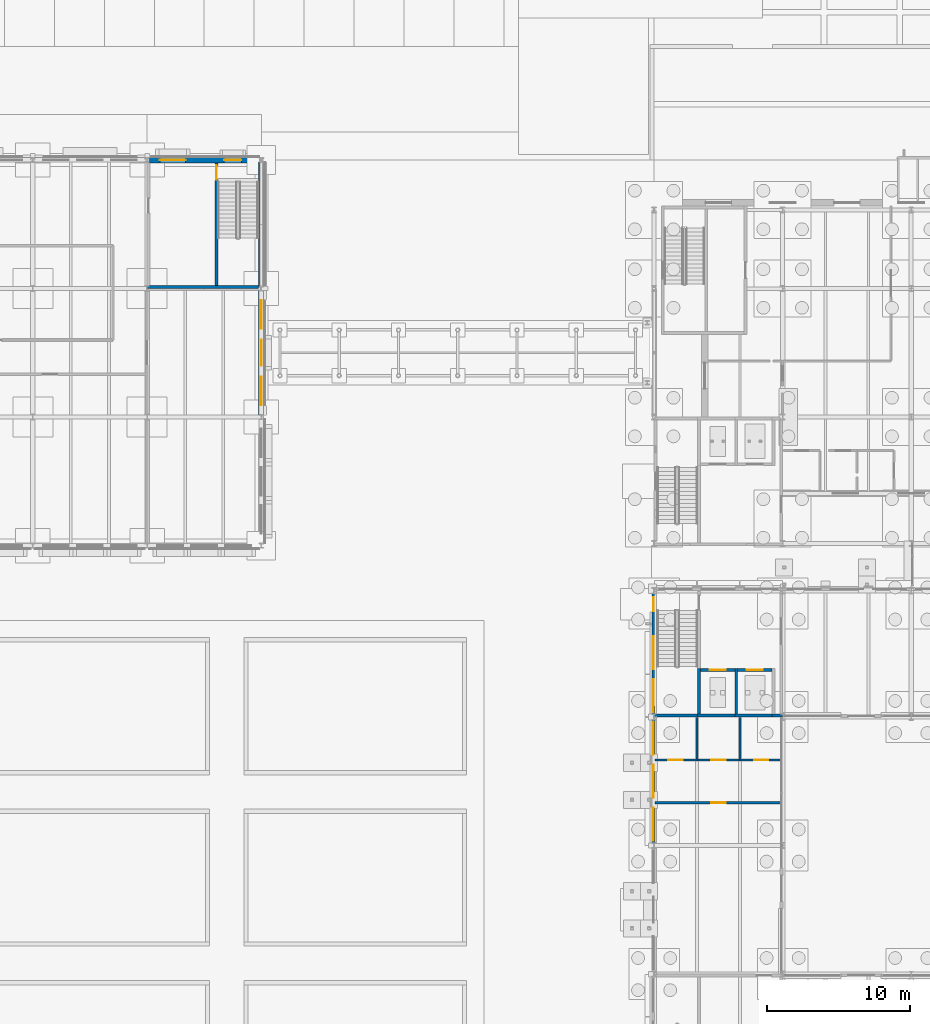
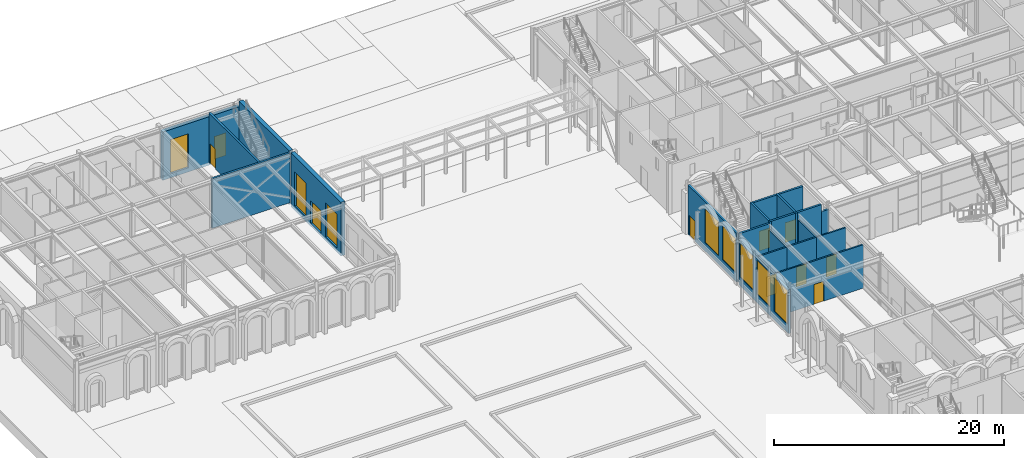
# One storey, part 76 of 126: 21 walls, 10 doors, 8 windows, 18 openings.
"""IFC4 building model written with IfcOpenShell, lengths in metres."""

from ifc_helpers import new_model, si_unit, direction, frame, frame_2d, origin, place, context, subcontext, project, spatial, rectangle, extrude, material, layer, layer_set, type_object, element, fill, save


model = new_model("IFC4")

# Units and contexts
model_context = context("Model", 3, precision=1e-05, world=origin(), true_north=direction((0.0, 1.0)))
body_context = subcontext(model_context, "Body", "Model", "MODEL_VIEW")
ifc_project = project(units=[si_unit("LENGTHUNIT", "METRE"), si_unit("AREAUNIT", "SQUARE_METRE"), si_unit("VOLUMEUNIT", "CUBIC_METRE"), si_unit("PLANEANGLEUNIT", "RADIAN"), si_unit("MASSUNIT", "GRAM", prefix="KILO")], contexts=[model_context])

# Site, building, storey
site_placement = place(None, origin())
site = spatial("IfcSite", under=ifc_project, at=site_placement, CompositionType="ELEMENT")
building_placement = place(site_placement, origin())
building = spatial("IfcBuilding", under=site, at=building_placement, Name="Kallimachos Central Library", CompositionType="ELEMENT")
storey_placement = place(building_placement, origin())
storey = spatial("IfcBuildingStorey", under=building, at=storey_placement, Name="L00", CompositionType="ELEMENT", Elevation=0.0)

# Wall, opening, door
ifc_material_1 = material(Name="Concrete C30/37", Category="concrete")
ifc_layer_1 = layer(ifc_material_1, 0.199951171875)
ifc_layer_set_1 = layer_set([ifc_layer_1], Name="Core wall 200")
wall_type_1 = type_object("IfcWallType", Name="Core wall 200", PredefinedType="SOLIDWALL", material=ifc_layer_set_1)
wall_1_placement = place(storey_placement, frame((34.85009765625, 105.199951171875, 0.0), z_axis=(0.0, 0.0, 1.0), x_axis=(0.0, 1.0, 0.0)))
wall_1 = element("IfcWall", 1, at=wall_1_placement, inside=storey, type_object=wall_type_1, Name="Core wall ne-stair-lobby L00", PredefinedType="SOLIDWALL", context=body_context, shape_type="SweptSolid", body=[
    extrude(rectangle(XDim=8.60009765625, YDim=0.199951171875, at=frame_2d((4.300048828125, 0.0))), origin(), (0.0, 0.0, 1.0), 5.25),
])
opening_1_placement = place(wall_1_placement, frame((7.425048828125, 0.0, 0.0)))
opening_1 = element("IfcOpeningElement", 2, at=opening_1_placement, cuts=wall_1, Name="Opening D291", PredefinedType="OPENING", context=body_context, shape_type="SweptSolid", body=[
    extrude(rectangle(XDim=1.0, YDim=2.10009765625, at=frame_2d((0.5, 1.050048828125))), frame((0.0, 0.10986328125, 0.0), z_axis=(0.0, -1.0, 0.0), x_axis=(1.0, 0.0, 0.0)), (0.0, 0.0, 1.0), 0.219970703125),
])
ifc_material_2 = material(Name="Steel fire door", Category="steel")
door_type_1 = type_object("IfcDoorType", Name="Fire door 1000 x 2100", OperationType="NOTDEFINED", PredefinedType="DOOR", material=ifc_material_2)
door_1_placement = place(opening_1_placement, frame((1.0, 0.0, 0.0), z_axis=(0.0, 0.0, 1.0), x_axis=(-1.0, 0.0, 0.0)))
door_1 = element("IfcDoor", 3, at=door_1_placement, inside=storey, type_object=door_type_1, Name="Stair ST6 door", OperationType="SINGLE_SWING_RIGHT", OverallHeight=2.10009765625, OverallWidth=1.0, PredefinedType="DOOR", context=body_context, shape_type="SweptSolid", body=[
    extrude(rectangle(XDim=1.0, YDim=2.10009765625, at=frame_2d((0.5, 1.050048828125))), frame((0.0, 0.02490234375, 0.0), z_axis=(0.0, -1.0, 0.0), x_axis=(1.0, 0.0, 0.0)), (0.0, 0.0, 1.0), 0.050048828125),
])
fill(opening_1, door_1)

# Wall
wall_2_placement = place(storey_placement, frame((30.0, 105.10009765625, 0.0), z_axis=(0.0, 0.0, 1.0), x_axis=(1.0, 0.0, 0.0)))
element("IfcWall", 4, at=wall_2_placement, inside=storey, type_object=wall_type_1, Name="Core wall ne-south L00", PredefinedType="SOLIDWALL", context=body_context, shape_type="SweptSolid", body=[
    extrude(rectangle(XDim=7.800048828125, YDim=0.199951171875, at=frame_2d((3.89990234375, 0.0))), origin(), (0.0, 0.0, 1.0), 5.25),
])

# Wall, opening, door
ifc_material_3 = material(Name="Concrete C30/37", Category="concrete")
ifc_layer_2 = layer(ifc_material_3, 0.199951171875)
ifc_layer_set_2 = layer_set([ifc_layer_2], Name="Lift shaft wall 200")
wall_type_2 = type_object("IfcWallType", Name="Lift shaft wall 200", PredefinedType="SOLIDWALL", material=ifc_layer_set_2)
wall_3_placement = place(storey_placement, frame((68.75, 78.300048828125, -1.10009765625), z_axis=(0.0, 0.0, 1.0), x_axis=(1.0, 0.0, 0.0)))
wall_3 = element("IfcWall", 5, at=wall_3_placement, inside=storey, type_object=wall_type_2, Name="V4-WAL-L00-001", PredefinedType="SOLIDWALL", context=body_context, shape_type="SweptSolid", body=[
    extrude(rectangle(XDim=2.39990234375, YDim=0.199951171875, at=frame_2d((1.199951171875, 0.0))), origin(), (0.0, 0.0, 1.0), 6.5),
])
opening_2_placement = place(wall_3_placement, frame((0.64990234375, 0.0, 1.10009765625)))
opening_2 = element("IfcOpeningElement", 6, at=opening_2_placement, cuts=wall_3, Name="Opening LD1100", PredefinedType="OPENING", context=body_context, shape_type="SweptSolid", body=[
    extrude(rectangle(XDim=1.10009765625, YDim=2.10009765625, at=frame_2d((0.550048828125, 1.050048828125))), frame((0.0, 0.10986328125, 0.0), z_axis=(0.0, -1.0, 0.0), x_axis=(1.0, 0.0, 0.0)), (0.0, 0.0, 1.0), 0.219970703125),
])
ifc_material_4 = material(Name="Stainless steel", Category="steel")
door_type_2 = type_object("IfcDoorType", Name="Lift landing door 1100 x 2100", OperationType="SLIDING_TO_LEFT", PredefinedType="DOOR", material=ifc_material_4)
door_2_placement = place(opening_2_placement, origin())
door_2 = element("IfcDoor", 7, at=door_2_placement, inside=storey, type_object=door_type_2, Name="LF7 landing door L00", OperationType="SLIDING_TO_LEFT", OverallHeight=2.10009765625, OverallWidth=1.10009765625, PredefinedType="DOOR", context=body_context, shape_type="SweptSolid", body=[
    extrude(rectangle(XDim=1.10009765625, YDim=2.10009765625, at=frame_2d((0.550048828125, 1.050048828125))), frame((0.0, 0.02490234375, 0.0), z_axis=(0.0, -1.0, 0.0), x_axis=(1.0, 0.0, 0.0)), (0.0, 0.0, 1.0), 0.050048828125),
])
fill(opening_2, door_2)

# Walls
wall_4_placement = place(storey_placement, frame((68.550048828125, 75.10009765625, -1.10009765625), z_axis=(0.0, 0.0, 1.0), x_axis=(1.0, 0.0, 0.0)))
element("IfcWall", 8, at=wall_4_placement, inside=storey, type_object=wall_type_2, Name="V4-WAL-L00-002", PredefinedType="SOLIDWALL", context=body_context, shape_type="SweptSolid", body=[
    extrude(rectangle(XDim=2.599853515625, YDim=0.199951171875, at=frame_2d((1.2998046875, 0.0))), origin(), (0.0, 0.0, 1.0), 6.5),
])
for number, where, z_axis, x_axis, name in (
    (9, (68.64990234375, 75.0, -1.10009765625), (0.0, 0.0, 1.0), (0.0, 1.0, 0.0), "V4-WAL-L00-003"),
    (10, (71.25, 75.0, -1.10009765625), (0.0, 0.0, 1.0), (0.0, 1.0, 0.0), "V4-WAL-L00-004"),
):
    element("IfcWall", number, at=place(storey_placement, frame(where, z_axis=z_axis, x_axis=x_axis)), inside=storey, type_object=wall_type_2, Name=name, PredefinedType="SOLIDWALL", context=body_context, shape_type="SweptSolid", body=[
        extrude(rectangle(XDim=3.39990234375, YDim=0.199951171875, at=frame_2d((1.699951171875, 0.0))), origin(), (0.0, 0.0, 1.0), 6.5),
    ])

# Wall, opening, door
wall_5_placement = place(storey_placement, frame((71.14990234375, 78.300048828125, -1.10009765625), z_axis=(0.0, 0.0, 1.0), x_axis=(1.0, 0.0, 0.0)))
wall_5 = element("IfcWall", 11, at=wall_5_placement, inside=storey, type_object=wall_type_2, Name="V4-WAL-L00-005", PredefinedType="SOLIDWALL", context=body_context, shape_type="SweptSolid", body=[
    extrude(rectangle(XDim=2.60009765625, YDim=0.199951171875, at=frame_2d((1.300048828125, 0.0))), origin(), (0.0, 0.0, 1.0), 6.5),
])
opening_3_placement = place(wall_5_placement, frame((0.85009765625, 0.0, 1.10009765625)))
opening_3 = element("IfcOpeningElement", 12, at=opening_3_placement, cuts=wall_5, Name="Opening LD1100", PredefinedType="OPENING", context=body_context, shape_type="SweptSolid", body=[
    extrude(rectangle(XDim=1.10009765625, YDim=2.10009765625, at=frame_2d((0.550048828125, 1.050048828125))), frame((0.0, 0.10986328125, 0.0), z_axis=(0.0, -1.0, 0.0), x_axis=(1.0, 0.0, 0.0)), (0.0, 0.0, 1.0), 0.219970703125),
])
door_3_placement = place(opening_3_placement, origin())
door_3 = element("IfcDoor", 13, at=door_3_placement, inside=storey, type_object=door_type_2, Name="LF8 landing door L00", OperationType="SLIDING_TO_LEFT", OverallHeight=2.10009765625, OverallWidth=1.10009765625, PredefinedType="DOOR", context=body_context, shape_type="SweptSolid", body=[
    extrude(rectangle(XDim=1.10009765625, YDim=2.10009765625, at=frame_2d((0.550048828125, 1.050048828125))), frame((0.0, 0.02490234375, 0.0), z_axis=(0.0, -1.0, 0.0), x_axis=(1.0, 0.0, 0.0)), (0.0, 0.0, 1.0), 0.050048828125),
])
fill(opening_3, door_3)

# Wall
wall_6_placement = place(storey_placement, frame((71.14990234375, 75.10009765625, -1.10009765625), z_axis=(0.0, 0.0, 1.0), x_axis=(1.0, 0.0, 0.0)))
element("IfcWall", 14, at=wall_6_placement, inside=storey, type_object=wall_type_2, Name="V4-WAL-L00-006", PredefinedType="SOLIDWALL", context=body_context, shape_type="SweptSolid", body=[
    extrude(rectangle(XDim=2.60009765625, YDim=0.199951171875, at=frame_2d((1.300048828125, 0.0))), origin(), (0.0, 0.0, 1.0), 6.5),
])

# Wall, opening, door
ifc_material_5 = material(Name="Gypsum board on steel studs", Category="steel")
ifc_layer_3 = layer(ifc_material_5, 0.14990234375)
ifc_layer_set_3 = layer_set([ifc_layer_3], Name="Partition wall 150")
wall_type_3 = type_object("IfcWallType", Name="Partition wall 150", PredefinedType="PARTITIONING", material=ifc_layer_set_3)
wall_7_placement = place(storey_placement, frame((65.550048828125, 69.0, 0.0), z_axis=(0.0, 0.0, 1.0), x_axis=(1.0, 0.0, 0.0)))
wall_7 = element("IfcWall", 15, at=wall_7_placement, inside=storey, type_object=wall_type_3, Name="L00 partition", PredefinedType="PARTITIONING", context=body_context, shape_type="SweptSolid", body=[
    extrude(rectangle(XDim=8.89990234375, YDim=0.14990234375, at=frame_2d((4.449951171875, 0.0))), origin(), (0.0, 0.0, 1.0), 4.60009765625),
])
opening_4_placement = place(wall_7_placement, frame((3.949951171875, 0.0, 0.0)))
opening_4 = element("IfcOpeningElement", 16, at=opening_4_placement, cuts=wall_7, Name="Opening D184", PredefinedType="OPENING", context=body_context, shape_type="SweptSolid", body=[
    extrude(rectangle(XDim=1.0, YDim=2.10009765625, at=frame_2d((0.5, 1.050048828125))), frame((0.0, 0.0849609375, 0.0), z_axis=(0.0, -1.0, 0.0), x_axis=(1.0, 0.0, 0.0)), (0.0, 0.0, 1.0), 0.169921875),
])
ifc_material_6 = material(Name="Timber", Category="wood")
door_type_3 = type_object("IfcDoorType", Name="Single leaf door 1000 x 2100, EI2 30", OperationType="NOTDEFINED", PredefinedType="DOOR", material=ifc_material_6)
door_4_placement = place(opening_4_placement, origin())
door_4 = element("IfcDoor", 17, at=door_4_placement, inside=storey, type_object=door_type_3, Name="L00 door WC Lobby", OperationType="SINGLE_SWING_RIGHT", OverallHeight=2.10009765625, OverallWidth=1.0, PredefinedType="DOOR", context=body_context, shape_type="SweptSolid", body=[
    extrude(rectangle(XDim=1.0, YDim=2.10009765625, at=frame_2d((0.5, 1.050048828125))), frame((0.0, 0.02490234375, 0.0), z_axis=(0.0, -1.0, 0.0), x_axis=(1.0, 0.0, 0.0)), (0.0, 0.0, 1.0), 0.050048828125),
])
fill(opening_4, door_4)

wall_8_placement = place(storey_placement, frame((71.5, 72.0, 0.0), z_axis=(0.0, 0.0, 1.0), x_axis=(1.0, 0.0, 0.0)))
wall_8 = element("IfcWall", 18, at=wall_8_placement, inside=storey, type_object=wall_type_3, Name="L00 partition", PredefinedType="PARTITIONING", context=body_context, shape_type="SweptSolid", body=[
    extrude(rectangle(XDim=2.949951171875, YDim=0.14990234375, at=frame_2d((1.47509765625, 0.0))), origin(), (0.0, 0.0, 1.0), 4.60009765625),
])
opening_5_placement = place(wall_8_placement, frame((1.0, 0.0, 0.0)))
opening_5 = element("IfcOpeningElement", 19, at=opening_5_placement, cuts=wall_8, Name="Opening D187", PredefinedType="OPENING", context=body_context, shape_type="SweptSolid", body=[
    extrude(rectangle(XDim=1.0, YDim=2.10009765625, at=frame_2d((0.5, 1.050048828125))), frame((0.0, 0.0849609375, 0.0), z_axis=(0.0, -1.0, 0.0), x_axis=(1.0, 0.0, 0.0)), (0.0, 0.0, 1.0), 0.169921875),
])
door_5_placement = place(opening_5_placement, origin())
door_5 = element("IfcDoor", 20, at=door_5_placement, inside=storey, type_object=door_type_3, Name="L00 door Accessible WC", OperationType="SINGLE_SWING_RIGHT", OverallHeight=2.10009765625, OverallWidth=1.0, PredefinedType="DOOR", context=body_context, shape_type="SweptSolid", body=[
    extrude(rectangle(XDim=1.0, YDim=2.10009765625, at=frame_2d((0.5, 1.050048828125))), frame((0.0, 0.02490234375, 0.0), z_axis=(0.0, -1.0, 0.0), x_axis=(1.0, 0.0, 0.0)), (0.0, 0.0, 1.0), 0.050048828125),
])
fill(opening_5, door_5)

wall_9_placement = place(storey_placement, frame((68.5, 72.0, 0.0), z_axis=(0.0, 0.0, 1.0), x_axis=(1.0, 0.0, 0.0)))
wall_9 = element("IfcWall", 21, at=wall_9_placement, inside=storey, type_object=wall_type_3, Name="L00 partition", PredefinedType="PARTITIONING", context=body_context, shape_type="SweptSolid", body=[
    extrude(rectangle(XDim=3.0, YDim=0.14990234375, at=frame_2d((1.5, 0.0))), origin(), (0.0, 0.0, 1.0), 4.60009765625),
])
opening_6_placement = place(wall_9_placement, frame((1.0, 0.0, 0.0)))
opening_6 = element("IfcOpeningElement", 22, at=opening_6_placement, cuts=wall_9, Name="Opening D186", PredefinedType="OPENING", context=body_context, shape_type="SweptSolid", body=[
    extrude(rectangle(XDim=1.0, YDim=2.10009765625, at=frame_2d((0.5, 1.050048828125))), frame((0.0, 0.0849609375, 0.0), z_axis=(0.0, -1.0, 0.0), x_axis=(1.0, 0.0, 0.0)), (0.0, 0.0, 1.0), 0.169921875),
])
door_6_placement = place(opening_6_placement, origin())
door_6 = element("IfcDoor", 23, at=door_6_placement, inside=storey, type_object=door_type_3, Name="L00 door Women's WC", OperationType="SINGLE_SWING_RIGHT", OverallHeight=2.10009765625, OverallWidth=1.0, PredefinedType="DOOR", context=body_context, shape_type="SweptSolid", body=[
    extrude(rectangle(XDim=1.0, YDim=2.10009765625, at=frame_2d((0.5, 1.050048828125))), frame((0.0, 0.02490234375, 0.0), z_axis=(0.0, -1.0, 0.0), x_axis=(1.0, 0.0, 0.0)), (0.0, 0.0, 1.0), 0.050048828125),
])
fill(opening_6, door_6)

wall_10_placement = place(storey_placement, frame((65.550048828125, 72.0, 0.0), z_axis=(0.0, 0.0, 1.0), x_axis=(1.0, 0.0, 0.0)))
wall_10 = element("IfcWall", 24, at=wall_10_placement, inside=storey, type_object=wall_type_3, Name="L00 partition", PredefinedType="PARTITIONING", context=body_context, shape_type="SweptSolid", body=[
    extrude(rectangle(XDim=2.949951171875, YDim=0.14990234375, at=frame_2d((1.47509765625, 0.0))), origin(), (0.0, 0.0, 1.0), 4.60009765625),
])
opening_7_placement = place(wall_10_placement, frame((0.949951171875, 0.0, 0.0)))
opening_7 = element("IfcOpeningElement", 25, at=opening_7_placement, cuts=wall_10, Name="Opening D185", PredefinedType="OPENING", context=body_context, shape_type="SweptSolid", body=[
    extrude(rectangle(XDim=1.0, YDim=2.10009765625, at=frame_2d((0.5, 1.050048828125))), frame((0.0, 0.0849609375, 0.0), z_axis=(0.0, -1.0, 0.0), x_axis=(1.0, 0.0, 0.0)), (0.0, 0.0, 1.0), 0.169921875),
])
door_7_placement = place(opening_7_placement, origin())
door_7 = element("IfcDoor", 26, at=door_7_placement, inside=storey, type_object=door_type_3, Name="L00 door Men's WC", OperationType="SINGLE_SWING_RIGHT", OverallHeight=2.10009765625, OverallWidth=1.0, PredefinedType="DOOR", context=body_context, shape_type="SweptSolid", body=[
    extrude(rectangle(XDim=1.0, YDim=2.10009765625, at=frame_2d((0.5, 1.050048828125))), frame((0.0, 0.02490234375, 0.0), z_axis=(0.0, -1.0, 0.0), x_axis=(1.0, 0.0, 0.0)), (0.0, 0.0, 1.0), 0.050048828125),
])
fill(opening_7, door_7)

# Walls
for number, where, z_axis, x_axis, name in (
    (27, (68.5, 72.0, 0.0), (0.0, 0.0, 1.0), (0.0, 1.0, 0.0), "L00 partition"),
    (28, (71.5, 72.0, 0.0), (0.0, 0.0, 1.0), (0.0, 1.0, 0.0), "L00 partition"),
):
    element("IfcWall", number, at=place(storey_placement, frame(where, z_axis=z_axis, x_axis=x_axis)), inside=storey, type_object=wall_type_3, Name=name, PredefinedType="PARTITIONING", context=body_context, shape_type="SweptSolid", body=[
        extrude(rectangle(XDim=2.949951171875, YDim=0.14990234375, at=frame_2d((1.47509765625, 0.0))), origin(), (0.0, 0.0, 1.0), 4.60009765625),
    ])
ifc_material_7 = material(Name="Concrete C35/45", Category="concrete")
ifc_layer_4 = layer(ifc_material_7, 0.199951171875)
ifc_layer_set_4 = layer_set([ifc_layer_4], Name="Shear core wall 200, internal")
wall_type_4 = type_object("IfcWallType", Name="Shear core wall 200, internal", PredefinedType="SHEAR", material=ifc_layer_set_4)
wall_11_placement = place(storey_placement, frame((65.5, 75.10009765625, 0.0), z_axis=(0.0, 0.0, 1.0), x_axis=(1.0, 0.0, 0.0)))
element("IfcWall", 29, at=wall_11_placement, inside=storey, type_object=wall_type_4, Name="L00 core wall V4-NW S", PredefinedType="SHEAR", context=body_context, shape_type="SweptSolid", body=[
    extrude(rectangle(XDim=3.050048828125, YDim=0.199951171875, at=frame_2d((1.52490234375, 0.0))), origin(), (0.0, 0.0, 1.0), 5.199951171875),
])
wall_12_placement = place(storey_placement, frame((73.75, 75.10009765625, 0.0), z_axis=(0.0, 0.0, 1.0), x_axis=(1.0, 0.0, 0.0)))
element("IfcWall", 30, at=wall_12_placement, inside=storey, type_object=wall_type_4, Name="L00 core wall V4-NW S2", PredefinedType="SHEAR", context=body_context, shape_type="SweptSolid", body=[
    extrude(rectangle(XDim=0.75, YDim=0.199951171875, at=frame_2d((0.375, 0.0))), origin(), (0.0, 0.0, 1.0), 4.64990234375),
])

# Wall, openings, door, window
ifc_material_8 = material(Name="Pentelic marble cladding on insulated brick masonry", Category="masonry")
ifc_layer_5 = layer(ifc_material_8, 0.39990234375)
ifc_layer_set_5 = layer_set([ifc_layer_5], Name="Stone cladding wall 400")
wall_type_5 = type_object("IfcWallType", Name="Stone cladding wall 400", PredefinedType="SOLIDWALL", material=ifc_layer_set_5)
wall_13_placement = place(storey_placement, frame((30.14990234375, 114.0, -0.300048828125), z_axis=(0.0, 0.0, 1.0), x_axis=(1.0, 0.0, 0.0)))
wall_13 = element("IfcWall", 31, at=wall_13_placement, inside=storey, type_object=wall_type_5, Name="Stone wall N4 L00", PredefinedType="SOLIDWALL", context=body_context, shape_type="SweptSolid", body=[
    extrude(rectangle(XDim=7.7001953125, YDim=0.39990234375, at=frame_2d((3.85009765625, 0.0))), origin(), (0.0, 0.0, 1.0), 5.130126953125),
])
opening_8_placement = place(wall_13_placement, frame((5.25, 0.0, 0.300048828125)))
opening_8 = element("IfcOpeningElement", 32, at=opening_8_placement, cuts=wall_13, Name="Opening D67", PredefinedType="OPENING", context=body_context, shape_type="SweptSolid", body=[
    extrude(rectangle(XDim=1.199951171875, YDim=2.39990234375, at=frame_2d((0.60009765625, 1.199951171875))), frame((0.0, 0.2099609375, 0.0), z_axis=(0.0, -1.0, 0.0), x_axis=(1.0, 0.0, 0.0)), (0.0, 0.0, 1.0), 0.419921875),
])
opening_9_placement = place(wall_13_placement, frame((0.75, 0.0, 0.449951171875)))
opening_9 = element("IfcOpeningElement", 33, at=opening_9_placement, cuts=wall_13, Name="Opening WN220", PredefinedType="OPENING", context=body_context, shape_type="SweptSolid", body=[
    extrude(rectangle(XDim=1.800048828125, YDim=3.60009765625, at=frame_2d((0.89990234375, 1.800048828125))), frame((0.0, 0.2099609375, 0.0), z_axis=(0.0, -1.0, 0.0), x_axis=(1.0, 0.0, 0.0)), (0.0, 0.0, 1.0), 0.419921875),
])
ifc_material_9 = material(Name="Steel door", Category="steel")
door_type_4 = type_object("IfcDoorType", Name="Exit door 1200 x 2400", OperationType="NOTDEFINED", PredefinedType="DOOR", material=ifc_material_9)
door_8_placement = place(opening_8_placement, origin())
door_8 = element("IfcDoor", 34, at=door_8_placement, inside=storey, type_object=door_type_4, Name="Exit Door ST6", OperationType="SINGLE_SWING_LEFT", OverallHeight=2.39990234375, OverallWidth=1.199951171875, PredefinedType="DOOR", context=body_context, shape_type="SweptSolid", body=[
    extrude(rectangle(XDim=1.199951171875, YDim=2.39990234375, at=frame_2d((0.60009765625, 1.199951171875))), frame((0.0, 0.02490234375, 0.0), z_axis=(0.0, -1.0, 0.0), x_axis=(1.0, 0.0, 0.0)), (0.0, 0.0, 1.0), 0.050048828125),
])
fill(opening_8, door_8)
ifc_material_10 = material(Name="Laminated safety glass in painted steel frame", Category="steel")
window_type_1 = type_object("IfcWindowType", Name="Window 1800 x 3600", PartitioningType="SINGLE_PANEL", PredefinedType="WINDOW", material=ifc_material_10)
window_1_placement = place(opening_9_placement, origin())
window_1 = element("IfcWindow", 35, at=window_1_placement, inside=storey, type_object=window_type_1, Name="V2-WIN-L00-018", OverallHeight=3.60009765625, OverallWidth=1.800048828125, PartitioningType="SINGLE_PANEL", PredefinedType="WINDOW", context=body_context, shape_type="SweptSolid", body=[
    extrude(rectangle(XDim=1.800048828125, YDim=3.60009765625, at=frame_2d((0.89990234375, 1.800048828125))), frame((0.0, 0.030029296875, 0.0), z_axis=(0.0, -1.0, 0.0), x_axis=(1.0, 0.0, 0.0)), (0.0, 0.0, 1.0), 0.06005859375),
])
fill(opening_9, window_1)

# Wall
ifc_material_11 = material(Name="Pentelic marble cladding on insulated brick masonry", Category="masonry")
ifc_layer_6 = layer(ifc_material_11, 0.39990234375)
ifc_layer_set_6 = layer_set([ifc_layer_6], Name="Stone cladding wall 400, load-bearing")
wall_type_6 = type_object("IfcWallType", Name="Stone cladding wall 400, load-bearing", PredefinedType="SOLIDWALL", material=ifc_layer_set_6)
wall_14_placement = place(storey_placement, frame((38.0, 105.14990234375, -0.300048828125), z_axis=(0.0, 0.0, 1.0), x_axis=(0.0, 1.0, 0.0)))
element("IfcWall", 36, at=wall_14_placement, inside=storey, type_object=wall_type_6, Name="Stone wall E3 L00", PredefinedType="SOLIDWALL", context=body_context, shape_type="SweptSolid", body=[
    extrude(rectangle(XDim=8.7001953125, YDim=0.39990234375, at=frame_2d((4.35009765625, 0.0))), origin(), (0.0, 0.0, 1.0), 5.699951171875),
])

# Wall, openings, door, windows
ifc_material_12 = material(Name="Pentelic marble cladding on insulated brick masonry", Category="masonry")
ifc_layer_7 = layer(ifc_material_12, 0.39990234375)
ifc_layer_set_7 = layer_set([ifc_layer_7], Name="Stone cladding wall 400, unrated, load-bearing")
wall_type_7 = type_object("IfcWallType", Name="Stone cladding wall 400, unrated, load-bearing", PredefinedType="SOLIDWALL", material=ifc_layer_set_7)
wall_15_placement = place(storey_placement, frame((38.0, 96.14990234375, -0.300048828125), z_axis=(0.0, 0.0, 1.0), x_axis=(0.0, 1.0, 0.0)))
wall_15 = element("IfcWall", 37, at=wall_15_placement, inside=storey, type_object=wall_type_7, Name="Stone wall E2 L00", PredefinedType="SOLIDWALL", context=body_context, shape_type="SweptSolid", body=[
    extrude(rectangle(XDim=8.7001953125, YDim=0.39990234375, at=frame_2d((4.35009765625, 0.0))), origin(), (0.0, 0.0, 1.0), 5.699951171875),
])
opening_10_placement = place(wall_15_placement, frame((0.675048828125, 0.0, 0.449951171875)))
opening_10 = element("IfcOpeningElement", 38, at=opening_10_placement, cuts=wall_15, Name="Opening WN252", PredefinedType="OPENING", context=body_context, shape_type="SweptSolid", body=[
    extrude(rectangle(XDim=2.0, YDim=3.60009765625, at=frame_2d((1.0, 1.800048828125))), frame((0.0, 0.2099609375, 0.0), z_axis=(0.0, -1.0, 0.0), x_axis=(1.0, 0.0, 0.0)), (0.0, 0.0, 1.0), 0.419921875),
])
opening_11_placement = place(wall_15_placement, frame((3.449951171875, 0.0, 0.300048828125)))
opening_11 = element("IfcOpeningElement", 39, at=opening_11_placement, cuts=wall_15, Name="Opening DL4", PredefinedType="OPENING", context=body_context, shape_type="SweptSolid", body=[
    extrude(rectangle(XDim=1.800048828125, YDim=2.39990234375, at=frame_2d((0.89990234375, 1.199951171875))), frame((0.0, 0.2099609375, 0.0), z_axis=(0.0, -1.0, 0.0), x_axis=(1.0, 0.0, 0.0)), (0.0, 0.0, 1.0), 0.419921875),
])
opening_12_placement = place(wall_15_placement, frame((6.02490234375, 0.0, 0.449951171875)))
opening_12 = element("IfcOpeningElement", 40, at=opening_12_placement, cuts=wall_15, Name="Opening WN253", PredefinedType="OPENING", context=body_context, shape_type="SweptSolid", body=[
    extrude(rectangle(XDim=2.0, YDim=3.60009765625, at=frame_2d((1.0, 1.800048828125))), frame((0.0, 0.2099609375, 0.0), z_axis=(0.0, -1.0, 0.0), x_axis=(1.0, 0.0, 0.0)), (0.0, 0.0, 1.0), 0.419921875),
])
ifc_material_13 = material(Name="Anodised aluminium and laminated glass", Category="aluminium")
door_type_5 = type_object("IfcDoorType", Name="Link door 1800 x 2400", OperationType="DOUBLE_DOOR_SINGLE_SWING", PredefinedType="DOOR", material=ifc_material_13)
door_9_placement = place(opening_11_placement, frame((1.800048828125, 0.0, 0.0), z_axis=(0.0, 0.0, 1.0), x_axis=(-1.0, 0.0, 0.0)))
door_9 = element("IfcDoor", 41, at=door_9_placement, inside=storey, type_object=door_type_5, Name="Link door A1", OperationType="DOUBLE_DOOR_SINGLE_SWING", OverallHeight=2.39990234375, OverallWidth=1.800048828125, PredefinedType="DOOR", context=body_context, shape_type="SweptSolid", body=[
    extrude(rectangle(XDim=1.800048828125, YDim=2.39990234375, at=frame_2d((0.89990234375, 1.199951171875))), frame((0.0, 0.02490234375, 0.0), z_axis=(0.0, -1.0, 0.0), x_axis=(1.0, 0.0, 0.0)), (0.0, 0.0, 1.0), 0.050048828125),
])
fill(opening_11, door_9)
ifc_material_14 = material(Name="Laminated safety glass in painted steel frame", Category="steel")
window_type_2 = type_object("IfcWindowType", Name="Window 2000 x 3600", PartitioningType="SINGLE_PANEL", PredefinedType="WINDOW", material=ifc_material_14)
window_2_placement = place(opening_10_placement, origin())
window_2 = element("IfcWindow", 42, at=window_2_placement, inside=storey, type_object=window_type_2, Name="V2-WIN-L00-028", OverallHeight=3.60009765625, OverallWidth=2.0, PartitioningType="SINGLE_PANEL", PredefinedType="WINDOW", context=body_context, shape_type="SweptSolid", body=[
    extrude(rectangle(XDim=2.0, YDim=3.60009765625, at=frame_2d((1.0, 1.800048828125))), frame((0.0, 0.030029296875, 0.0), z_axis=(0.0, -1.0, 0.0), x_axis=(1.0, 0.0, 0.0)), (0.0, 0.0, 1.0), 0.06005859375),
])
fill(opening_10, window_2)
window_3_placement = place(opening_12_placement, origin())
window_3 = element("IfcWindow", 43, at=window_3_placement, inside=storey, type_object=window_type_2, Name="V2-WIN-L00-029", OverallHeight=3.60009765625, OverallWidth=2.0, PartitioningType="SINGLE_PANEL", PredefinedType="WINDOW", context=body_context, shape_type="SweptSolid", body=[
    extrude(rectangle(XDim=2.0, YDim=3.60009765625, at=frame_2d((1.0, 1.800048828125))), frame((0.0, 0.030029296875, 0.0), z_axis=(0.0, -1.0, 0.0), x_axis=(1.0, 0.0, 0.0)), (0.0, 0.0, 1.0), 0.06005859375),
])
fill(opening_12, window_3)

# Wall, openings, windows
ifc_material_15 = material(Name="Brick masonry with Pentelic marble cladding", Category="masonry")
ifc_layer_8 = layer(ifc_material_15, 0.199951171875)
ifc_layer_set_8 = layer_set([ifc_layer_8], Name="Stone-clad masonry wall 200")
wall_type_8 = type_object("IfcWallType", Name="Stone-clad masonry wall 200", PredefinedType="SOLIDWALL", material=ifc_layer_set_8)
wall_16_placement = place(storey_placement, frame((65.445556640625, 66.1884765625, 0.0), z_axis=(0.0, 0.0, 1.0), x_axis=(0.0, 1.0, 0.0)))
wall_16 = element("IfcWall", 44, at=wall_16_placement, inside=storey, type_object=wall_type_8, Name="V4-WAL-L00-027", PredefinedType="SOLIDWALL", context=body_context, shape_type="SweptSolid", body=[
    extrude(rectangle(XDim=8.595458984375, YDim=0.199951171875, at=frame_2d((4.2978515625, 0.0))), origin(), (0.0, 0.0, 1.0), 4.64990234375),
])
opening_13_placement = place(wall_16_placement, frame((0.16162109375, 0.0, 0.89990234375)))
opening_13 = element("IfcOpeningElement", 45, at=opening_13_placement, cuts=wall_16, Name="Opening WN160", PredefinedType="OPENING", context=body_context, shape_type="SweptSolid", body=[
    extrude(rectangle(XDim=2.300048828125, YDim=3.60009765625, at=frame_2d((1.14990234375, 1.800048828125))), frame((0.0, 0.10986328125, 0.0), z_axis=(0.0, -1.0, 0.0), x_axis=(1.0, 0.0, 0.0)), (0.0, 0.0, 1.0), 0.219970703125),
])
opening_14_placement = place(wall_16_placement, frame((3.16162109375, 0.0, 0.89990234375)))
opening_14 = element("IfcOpeningElement", 46, at=opening_14_placement, cuts=wall_16, Name="Opening WN160", PredefinedType="OPENING", context=body_context, shape_type="SweptSolid", body=[
    extrude(rectangle(XDim=2.300048828125, YDim=3.60009765625, at=frame_2d((1.14990234375, 1.800048828125))), frame((0.0, 0.10986328125, 0.0), z_axis=(0.0, -1.0, 0.0), x_axis=(1.0, 0.0, 0.0)), (0.0, 0.0, 1.0), 0.219970703125),
])
opening_15_placement = place(wall_16_placement, frame((6.16162109375, 0.0, 0.89990234375)))
opening_15 = element("IfcOpeningElement", 47, at=opening_15_placement, cuts=wall_16, Name="Opening WN160", PredefinedType="OPENING", context=body_context, shape_type="SweptSolid", body=[
    extrude(rectangle(XDim=2.300048828125, YDim=3.60009765625, at=frame_2d((1.14990234375, 1.800048828125))), frame((0.0, 0.10986328125, 0.0), z_axis=(0.0, -1.0, 0.0), x_axis=(1.0, 0.0, 0.0)), (0.0, 0.0, 1.0), 0.219970703125),
])
ifc_material_16 = material(Name="Anodised aluminium and laminated glass", Category="aluminium")
window_type_3 = type_object("IfcWindowType", Name="Window 2300 x 3600", PartitioningType="DOUBLE_PANEL_VERTICAL", PredefinedType="WINDOW", material=ifc_material_16)
window_4_placement = place(opening_13_placement, origin())
window_4 = element("IfcWindow", 48, at=window_4_placement, inside=storey, type_object=window_type_3, Name="V4-WIN-L00-031", OverallHeight=3.60009765625, OverallWidth=2.300048828125, PartitioningType="SINGLE_PANEL", PredefinedType="WINDOW", context=body_context, shape_type="SweptSolid", body=[
    extrude(rectangle(XDim=2.300048828125, YDim=3.60009765625, at=frame_2d((1.14990234375, 1.800048828125))), frame((0.0, 0.030029296875, 0.0), z_axis=(0.0, -1.0, 0.0), x_axis=(1.0, 0.0, 0.0)), (0.0, 0.0, 1.0), 0.06005859375),
])
fill(opening_13, window_4)
window_5_placement = place(opening_14_placement, origin())
window_5 = element("IfcWindow", 49, at=window_5_placement, inside=storey, type_object=window_type_3, Name="V4-WIN-L00-032", OverallHeight=3.60009765625, OverallWidth=2.300048828125, PartitioningType="SINGLE_PANEL", PredefinedType="WINDOW", context=body_context, shape_type="SweptSolid", body=[
    extrude(rectangle(XDim=2.300048828125, YDim=3.60009765625, at=frame_2d((1.14990234375, 1.800048828125))), frame((0.0, 0.030029296875, 0.0), z_axis=(0.0, -1.0, 0.0), x_axis=(1.0, 0.0, 0.0)), (0.0, 0.0, 1.0), 0.06005859375),
])
fill(opening_14, window_5)
window_6_placement = place(opening_15_placement, origin())
window_6 = element("IfcWindow", 50, at=window_6_placement, inside=storey, type_object=window_type_3, Name="V4-WIN-L00-033", OverallHeight=3.60009765625, OverallWidth=2.300048828125, PartitioningType="SINGLE_PANEL", PredefinedType="WINDOW", context=body_context, shape_type="SweptSolid", body=[
    extrude(rectangle(XDim=2.300048828125, YDim=3.60009765625, at=frame_2d((1.14990234375, 1.800048828125))), frame((0.0, 0.030029296875, 0.0), z_axis=(0.0, -1.0, 0.0), x_axis=(1.0, 0.0, 0.0)), (0.0, 0.0, 1.0), 0.06005859375),
])
fill(opening_15, window_6)

# Wall, openings, door, windows
ifc_material_17 = material(Name="Brick masonry with Pentelic marble cladding", Category="masonry")
ifc_layer_9 = layer(ifc_material_17, 0.199951171875)
ifc_layer_set_9 = layer_set([ifc_layer_9], Name="Stone-clad masonry wall 200, load-bearing, EI 120")
wall_type_9 = type_object("IfcWallType", Name="Stone-clad masonry wall 200, load-bearing, EI 120", PredefinedType="SOLIDWALL", material=ifc_layer_set_9)
wall_17_placement = place(storey_placement, frame((65.446533203125, 75.216064453125, 0.0), z_axis=(0.0, 0.0, 1.0), x_axis=(0.0, 1.0, 0.0)))
wall_17 = element("IfcWall", 51, at=wall_17_placement, inside=storey, type_object=wall_type_9, Name="V4-WAL-L00-028", PredefinedType="SOLIDWALL", context=body_context, shape_type="SweptSolid", body=[
    extrude(rectangle(XDim=8.41796875, YDim=0.199951171875, at=frame_2d((4.208984375, 0.0))), origin(), (0.0, 0.0, 1.0), 5.199951171875),
])
opening_16_placement = place(wall_17_placement, frame((7.18408203125, 0.0, 0.0)))
opening_16 = element("IfcOpeningElement", 52, at=opening_16_placement, cuts=wall_17, Name="Opening D30", PredefinedType="OPENING", context=body_context, shape_type="SweptSolid", body=[
    extrude(rectangle(XDim=1.0, YDim=2.10009765625, at=frame_2d((0.5, 1.050048828125))), frame((0.0, 0.10986328125, 0.0), z_axis=(0.0, -1.0, 0.0), x_axis=(1.0, 0.0, 0.0)), (0.0, 0.0, 1.0), 0.219970703125),
])
opening_17_placement = place(wall_17_placement, frame((0.134033203125, 0.0, 0.89990234375)))
opening_17 = element("IfcOpeningElement", 53, at=opening_17_placement, cuts=wall_17, Name="Opening WN267", PredefinedType="OPENING", context=body_context, shape_type="SweptSolid", body=[
    extrude(rectangle(XDim=2.300048828125, YDim=3.60009765625, at=frame_2d((1.14990234375, 1.800048828125))), frame((0.0, 0.10986328125, 0.0), z_axis=(0.0, -1.0, 0.0), x_axis=(1.0, 0.0, 0.0)), (0.0, 0.0, 1.0), 0.219970703125),
])
opening_18_placement = place(wall_17_placement, frame((3.134033203125, 0.0, 0.89990234375)))
opening_18 = element("IfcOpeningElement", 54, at=opening_18_placement, cuts=wall_17, Name="Opening WN267", PredefinedType="OPENING", context=body_context, shape_type="SweptSolid", body=[
    extrude(rectangle(XDim=2.300048828125, YDim=3.60009765625, at=frame_2d((1.14990234375, 1.800048828125))), frame((0.0, 0.10986328125, 0.0), z_axis=(0.0, -1.0, 0.0), x_axis=(1.0, 0.0, 0.0)), (0.0, 0.0, 1.0), 0.219970703125),
])
ifc_material_18 = material(Name="Timber", Category="wood")
door_type_6 = type_object("IfcDoorType", Name="Single leaf door 1000 x 2100", OperationType="NOTDEFINED", PredefinedType="DOOR", material=ifc_material_18)
door_10_placement = place(opening_16_placement, origin())
door_10 = element("IfcDoor", 55, at=door_10_placement, inside=storey, type_object=door_type_6, Name="Exit Door", OperationType="SINGLE_SWING_LEFT", OverallHeight=2.10009765625, OverallWidth=1.0, PredefinedType="DOOR", context=body_context, shape_type="SweptSolid", body=[
    extrude(rectangle(XDim=1.0, YDim=2.10009765625, at=frame_2d((0.5, 1.050048828125))), frame((0.0, 0.02490234375, 0.0), z_axis=(0.0, -1.0, 0.0), x_axis=(1.0, 0.0, 0.0)), (0.0, 0.0, 1.0), 0.050048828125),
])
fill(opening_16, door_10)
ifc_material_19 = material(Name="Anodised aluminium and laminated glass", Category="aluminium")
window_type_4 = type_object("IfcWindowType", Name="Window 2300 x 3600, EI 120", PartitioningType="DOUBLE_PANEL_VERTICAL", PredefinedType="WINDOW", material=ifc_material_19)
window_7_placement = place(opening_17_placement, origin())
window_7 = element("IfcWindow", 56, at=window_7_placement, inside=storey, type_object=window_type_4, Name="V4-WIN-L00-034", OverallHeight=3.60009765625, OverallWidth=2.300048828125, PartitioningType="SINGLE_PANEL", PredefinedType="WINDOW", context=body_context, shape_type="SweptSolid", body=[
    extrude(rectangle(XDim=2.300048828125, YDim=3.60009765625, at=frame_2d((1.14990234375, 1.800048828125))), frame((0.0, 0.030029296875, 0.0), z_axis=(0.0, -1.0, 0.0), x_axis=(1.0, 0.0, 0.0)), (0.0, 0.0, 1.0), 0.06005859375),
])
fill(opening_17, window_7)
window_8_placement = place(opening_18_placement, origin())
window_8 = element("IfcWindow", 57, at=window_8_placement, inside=storey, type_object=window_type_4, Name="V4-WIN-L00-035", OverallHeight=3.60009765625, OverallWidth=2.300048828125, PartitioningType="SINGLE_PANEL", PredefinedType="WINDOW", context=body_context, shape_type="SweptSolid", body=[
    extrude(rectangle(XDim=2.300048828125, YDim=3.60009765625, at=frame_2d((1.14990234375, 1.800048828125))), frame((0.0, 0.030029296875, 0.0), z_axis=(0.0, -1.0, 0.0), x_axis=(1.0, 0.0, 0.0)), (0.0, 0.0, 1.0), 0.06005859375),
])
fill(opening_18, window_8)

save(model, "model.ifc")
